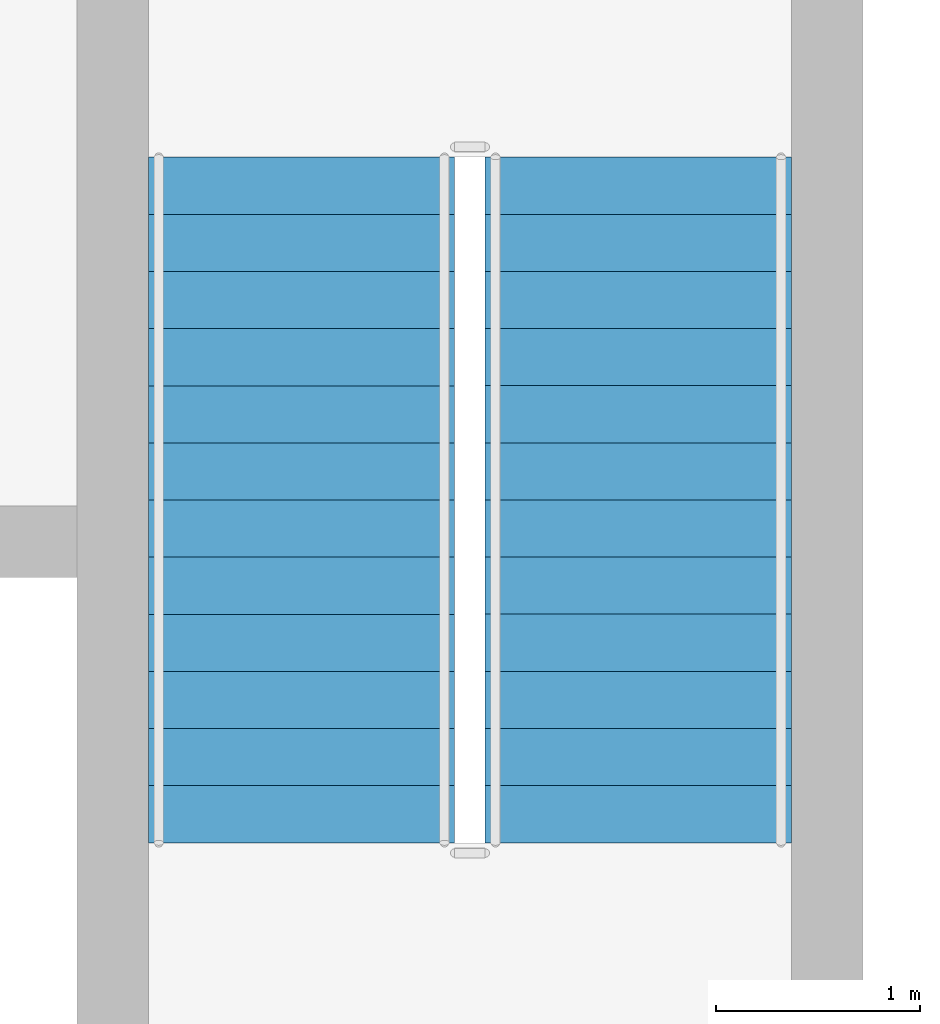
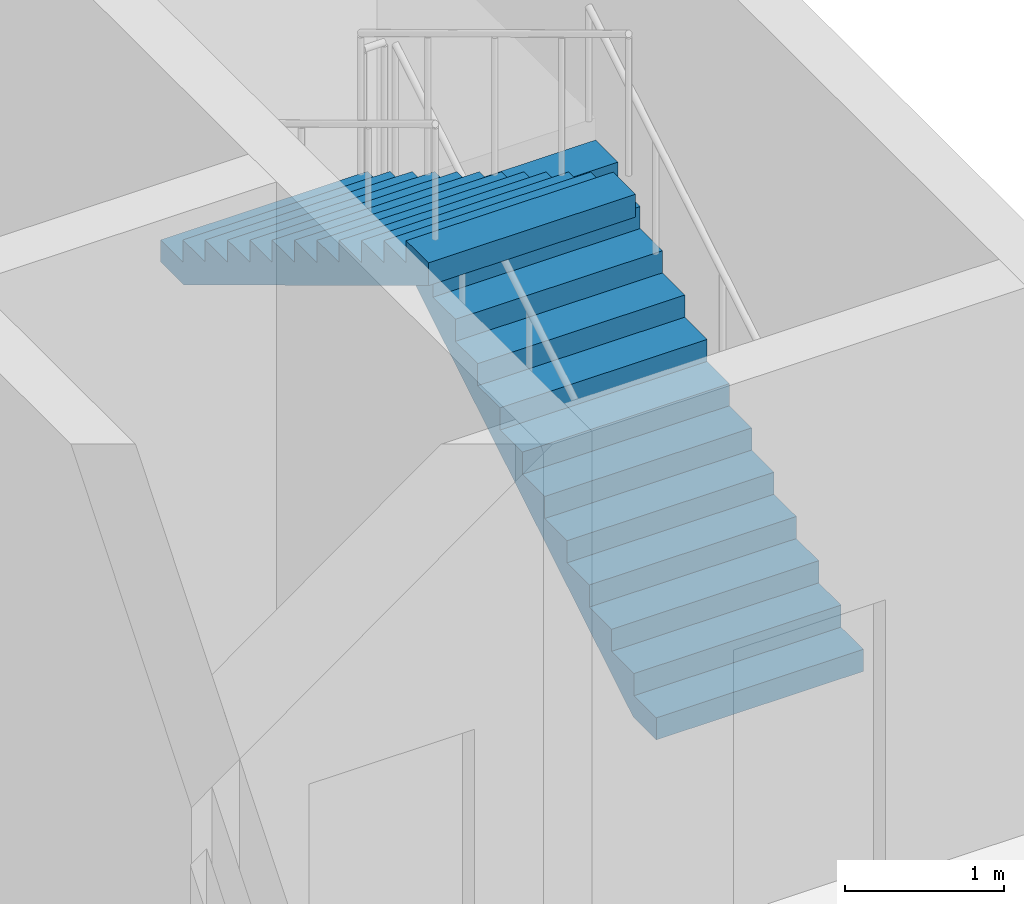
# One storey, part 64 of 76: 2 stair flights, 1 element without a shape of its own.
"""IFC4 building model written with IfcOpenShell, lengths in metres."""

from ifc_helpers import new_model, si_unit, direction, frame, origin, place, context, subcontext, project, spatial, polyline, outline, extrude, material, type_object, element, aggregate, save


model = new_model("IFC4")

# Units and contexts
model_context = context("Model", 3, precision=1e-05, world=origin(), true_north=direction((0.0, 1.0)))
body_context = subcontext(model_context, "Body", "Model", "MODEL_VIEW")
ifc_project = project(units=[si_unit("LENGTHUNIT", "METRE"), si_unit("AREAUNIT", "SQUARE_METRE"), si_unit("VOLUMEUNIT", "CUBIC_METRE"), si_unit("PLANEANGLEUNIT", "RADIAN"), si_unit("MASSUNIT", "GRAM", prefix="KILO")], contexts=[model_context])

# Site, building, storey
site_placement = place(None, origin())
site = spatial("IfcSite", under=ifc_project, at=site_placement, CompositionType="ELEMENT")
building_placement = place(site_placement, origin())
building = spatial("IfcBuilding", under=site, at=building_placement, Name="Zarrinpeak Specialist Clinic", CompositionType="ELEMENT")
storey_placement = place(building_placement, frame((0.0, 0.0, 5.199951171875)))
storey = spatial("IfcBuildingStorey", under=building, at=storey_placement, Name="L01", CompositionType="ELEMENT", Elevation=5.199951171875)

# Stair, stair flights
ifc_material = material(Name="Concrete C35/45", Category="concrete")
stair_type = type_object("IfcStairType", Name="ST-DOG", PredefinedType="HALF_TURN_STAIR", material=ifc_material)
stair_placement = place(storey_placement, origin())
stair = element("IfcStair", 1, at=stair_placement, inside=storey, type_object=stair_type, Name="L01 Protected Exit Stair ST-12", PredefinedType="HALF_TURN_STAIR")
stair_flight_type = type_object("IfcStairFlightType", Name="STF-150", PredefinedType="STRAIGHT", material=ifc_material)
stair_flight_1_placement = place(storey_placement, frame((63.699951171875, 108.85009765625, 0.0), z_axis=(0.0, 0.0, 1.0), x_axis=(0.0, 1.0, 0.0)))
stair_flight_1 = element("IfcStairFlight", 2, at=stair_flight_1_placement, type_object=stair_flight_type, Name="ST-12 flight 1", NumberOfRisers=13, NumberOfTreads=12, PredefinedType="STRAIGHT", RiserHeight=0.169230769, TreadLength=0.28, context=body_context, shape_type="SweptSolid", body=[
    extrude(outline(polyline([(0.0, 0.0), (0.0, 0.169189453125), (0.280029296875, 0.169189453125), (0.280029296875, 0.33837890625), (0.56005859375, 0.33837890625), (0.56005859375, 0.5078125), (0.840087890625, 0.5078125), (0.840087890625, 0.677001953125), (1.1201171875, 0.677001953125), (1.1201171875, 0.84619140625), (1.39990234375, 0.84619140625), (1.39990234375, 1.015380859375), (1.679931640625, 1.015380859375), (1.679931640625, 1.1845703125), (1.9599609375, 1.1845703125), (1.9599609375, 1.353759765625), (2.239990234375, 1.353759765625), (2.239990234375, 1.523193359375), (2.52001953125, 1.523193359375), (2.52001953125, 1.6923828125), (2.800048828125, 1.6923828125), (2.800048828125, 1.861572265625), (3.080078125, 1.861572265625), (3.080078125, 2.03076171875), (3.360107421875, 2.03076171875), (3.360107421875, 2.199951171875), (3.360107421875, 1.855712890625), (0.289794921875, 0.0), (0.0, 0.0)])), frame((0.0, 0.75, 0.0), z_axis=(0.0, -1.0, 0.0), x_axis=(1.0, 0.0, 0.0)), (0.0, 0.0, 1.0), 1.5),
])
stair_flight_2_placement = place(storey_placement, frame((62.050048828125, 112.2099609375, 2.199951171875), z_axis=(0.0, 0.0, 1.0), x_axis=(0.0, -1.0, 0.0)))
stair_flight_2 = element("IfcStairFlight", 3, at=stair_flight_2_placement, type_object=stair_flight_type, Name="ST-12 flight 2", NumberOfRisers=13, NumberOfTreads=12, PredefinedType="STRAIGHT", RiserHeight=0.169230769, TreadLength=0.28, context=body_context, shape_type="SweptSolid", body=[
    extrude(outline(polyline([(0.0, 0.0), (0.0, 0.169189453125), (0.280029296875, 0.169189453125), (0.280029296875, 0.33837890625), (0.56005859375, 0.33837890625), (0.56005859375, 0.5078125), (0.840087890625, 0.5078125), (0.840087890625, 0.677001953125), (1.1201171875, 0.677001953125), (1.1201171875, 0.84619140625), (1.39990234375, 0.84619140625), (1.39990234375, 1.015380859375), (1.679931640625, 1.015380859375), (1.679931640625, 1.1845703125), (1.9599609375, 1.1845703125), (1.9599609375, 1.353759765625), (2.239990234375, 1.353759765625), (2.239990234375, 1.523193359375), (2.52001953125, 1.523193359375), (2.52001953125, 1.6923828125), (2.800048828125, 1.6923828125), (2.800048828125, 1.861572265625), (3.080078125, 1.861572265625), (3.080078125, 2.03076171875), (3.360107421875, 2.03076171875), (3.360107421875, 2.199951171875), (3.360107421875, 1.855712890625), (0.289794921875, 0.0), (0.0, 0.0)])), frame((0.0, 0.75, 0.0), z_axis=(0.0, -1.0, 0.0), x_axis=(1.0, 0.0, 0.0)), (0.0, 0.0, 1.0), 1.5),
])
aggregate(stair, [stair_flight_1, stair_flight_2])

save(model, "model.ifc")
